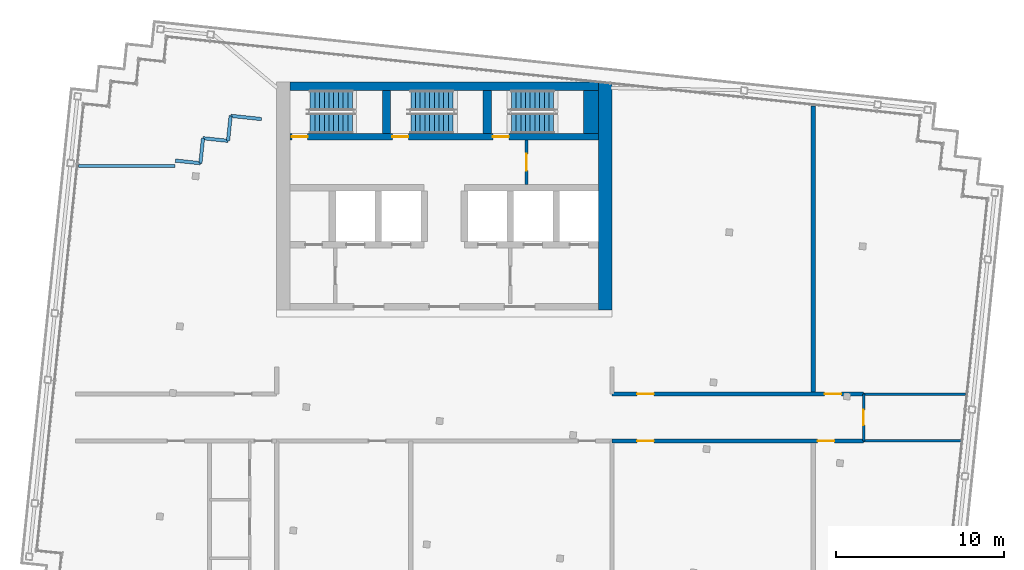
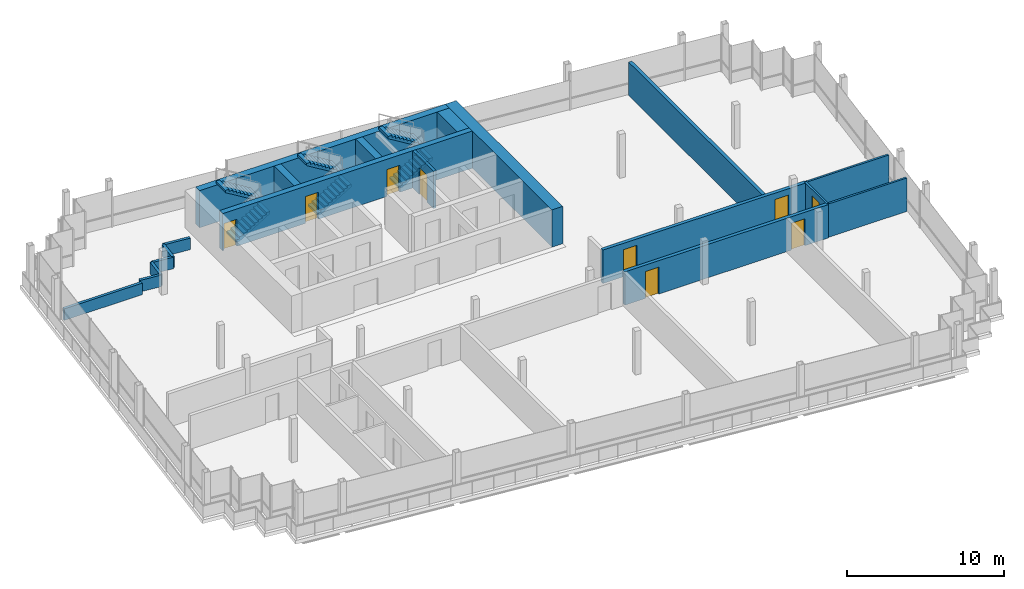
# One storey, part 12 of 15: 19 walls, 9 doors, 6 stair flights, 9 openings, 3 elements without a shape of their own.
"""IFC4 building model written with IfcOpenShell, lengths in metres."""

import ifcopenshell
import ifcopenshell.guid

model = None  # the IFC model being written
_history = None  # IfcOwnerHistory: only IFC2X3 demands one
_inside = {}  # id of a spatial element -> (the spatial element, [elements in it])
_under = {}  # id of a project, library or spatial element -> (it, [spatial elements below it])
_declared = {}  # id of a project -> (the project, [libraries it declares])
_typed = {}  # id of a type object -> (the type object, [elements of that type])
_made_of = {}  # id of a material, layer set ... -> (it, [elements and type objects made of it])


def new_model(schema):
    """Start an empty IFC model of exactly this schema.

    Asked for "IFC4X3", IfcOpenShell would pick the latest addendum, in which some entities
    have other attributes; the version numbers below select the first issue.
    IFC2X3 requires an IfcOwnerHistory on every rooted entity: one is made here for all.
    """
    global model, _history
    if schema == "IFC4X3":
        model = ifcopenshell.file(schema_version=(4, 3, 0, 0))
    else:
        model = ifcopenshell.file(schema=schema)
    _inside.clear()
    _under.clear()
    _declared.clear()
    _typed.clear()
    _made_of.clear()
    _history = None
    if model.schema == "IFC2X3":
        org = make("IfcOrganization", Name="unknown")
        user = make(
            "IfcPersonAndOrganization",
            ThePerson=make("IfcPerson", FamilyName="unknown"),
            TheOrganization=org,
        )
        app = make(
            "IfcApplication",
            ApplicationDeveloper=org,
            Version="unknown",
            ApplicationFullName="unknown",
            ApplicationIdentifier="unknown",
        )
        _history = make(
            "IfcOwnerHistory",
            OwningUser=user,
            OwningApplication=app,
            ChangeAction="ADDED",
            CreationDate=0,
        )
    return model


def make(cls, **values):
    """One entity of the class cls with the attributes given. An attribute that is None is left unset."""
    return model.create_entity(
        cls, **{name: value for name, value in values.items() if value is not None}
    )


def rooted(cls, **values):
    """An entity with a GlobalId (a new one), such as an element, a storey or a relation."""
    return make(cls, GlobalId=ifcopenshell.guid.new(), OwnerHistory=_history, **values)


def si_unit(unit_type, name, prefix=None):
    """IfcSIUnit, for example si_unit("LENGTHUNIT", "METRE", prefix="MILLI")."""
    return make("IfcSIUnit", UnitType=unit_type, Prefix=prefix, Name=name)


def assignment(units):
    """IfcUnitAssignment: the units of a project."""
    return None if units is None else make("IfcUnitAssignment", Units=units)


def point(xyz):
    """IfcCartesianPoint."""
    return None if xyz is None else make("IfcCartesianPoint", Coordinates=xyz)


def direction(xyz):
    """IfcDirection."""
    return None if xyz is None else make("IfcDirection", DirectionRatios=xyz)


def frame(location, z_axis=None, x_axis=None):
    """IfcAxis2Placement3D, a coordinate frame: its origin and axes. An axis left out is left unset."""
    return make(
        "IfcAxis2Placement3D",
        Location=point(location),
        Axis=direction(z_axis),
        RefDirection=direction(x_axis),
    )


def frame_2d(location, x_axis=None):
    """IfcAxis2Placement2D, a coordinate frame in the plane: its origin and x axis."""
    return make(
        "IfcAxis2Placement2D", Location=point(location), RefDirection=direction(x_axis)
    )


def origin():
    """The frame at (0, 0, 0) with its axes left unset."""
    return frame((0.0, 0.0, 0.0))


def place(relative_to, where):
    """IfcLocalPlacement: puts the frame where relative to a parent placement (None: the world)."""
    return make(
        "IfcLocalPlacement", PlacementRelTo=relative_to, RelativePlacement=where
    )


def context(
    kind, dimensions, precision=None, world=None, true_north=None, identifier=None
):
    """IfcGeometricRepresentationContext, for example the 3D "Model" context."""
    return make(
        "IfcGeometricRepresentationContext",
        ContextIdentifier=identifier,
        ContextType=kind,
        CoordinateSpaceDimension=dimensions,
        Precision=precision,
        WorldCoordinateSystem=world,
        TrueNorth=true_north,
    )


def subcontext(parent, identifier, kind, view, scale=None):
    """IfcGeometricRepresentationSubContext, for example "Body" below "Model"."""
    return make(
        "IfcGeometricRepresentationSubContext",
        ContextIdentifier=identifier,
        ContextType=kind,
        ParentContext=parent,
        TargetScale=scale,
        TargetView=view,
    )


def project(units=None, contexts=None):
    """IfcProject with its units and contexts."""
    return rooted(
        "IfcProject",
        Name="project",
        RepresentationContexts=contexts,
        UnitsInContext=assignment(units),
    )


def spatial(cls, under=None, at=None, **own):
    """A site, building, storey or space (cls), placed at a placement, below another one or the project."""
    s = rooted(cls, ObjectPlacement=at, **own)
    if under is not None:
        _under.setdefault(under.id(), (under, []))[1].append(s)
    return s


def polyline(points):
    """IfcPolyline through the points."""
    return make("IfcPolyline", Points=[point(p) for p in points])


def profile(cls, at=None, kind="AREA", **sizes):
    """A parametric profile (cls). Its sizes go by their IFC names, for example OverallWidth=200.0."""
    return make(cls, ProfileType=kind, Position=at, **sizes)


def rectangle(**sizes):
    """IfcRectangleProfileDef."""
    return profile("IfcRectangleProfileDef", **sizes)


def outline(outer, holes=None, kind="AREA"):
    """IfcArbitraryClosedProfileDef: a profile drawn as a closed curve; with holes, ...WithVoids."""
    if holes is None:
        return make("IfcArbitraryClosedProfileDef", ProfileType=kind, OuterCurve=outer)
    return make(
        "IfcArbitraryProfileDefWithVoids",
        ProfileType=kind,
        OuterCurve=outer,
        InnerCurves=holes,
    )


def extrude(swept, where, along, depth):
    """IfcExtrudedAreaSolid: the profile swept, set in the frame where, extruded along a direction by depth."""
    return make(
        "IfcExtrudedAreaSolid",
        SweptArea=swept,
        Position=where,
        ExtrudedDirection=direction(along),
        Depth=depth,
    )


def shape(context_of_items, identifier, shape_type, items):
    """IfcShapeRepresentation: the items that make up one representation, for example the "Body"."""
    return make(
        "IfcShapeRepresentation",
        ContextOfItems=context_of_items,
        RepresentationIdentifier=identifier,
        RepresentationType=shape_type,
        Items=items,
    )


def material(Name=None, Category=None):
    """IfcMaterial."""
    return make("IfcMaterial", Name=Name, Category=Category)


def layer(
    of_material, thickness, ventilated=None, Name=None, Category=None, Priority=None
):
    """IfcMaterialLayer: one layer of a wall or slab, of a material (None: an air gap)."""
    return make(
        "IfcMaterialLayer",
        Material=of_material,
        LayerThickness=thickness,
        IsVentilated=ventilated,
        Name=Name,
        Category=Category,
        Priority=Priority,
    )


def layer_set(layers, Name=None):
    """IfcMaterialLayerSet."""
    return make("IfcMaterialLayerSet", MaterialLayers=layers, LayerSetName=Name)


def made_of(thing, what):
    """Note that an element or type object is made of a material, layer set ...; save() writes the relation."""
    if what is not None:
        _made_of.setdefault(what.id(), (what, []))[1].append(thing)
    return thing


def type_object(cls, material=None, **own):
    """A type object (cls), such as IfcWallType, which elements share."""
    return made_of(rooted(cls, **own), material)


def element(
    cls,
    number,
    at=None,
    inside=None,
    cuts=None,
    type_object=None,
    material=None,
    context=None,
    identifier="Body",
    shape_type=None,
    held_by="IfcProductDefinitionShape",
    body=None,
    shapes=None,
    **own,
):
    """One element of the class cls, such as IfcWall. Its Tag is "e" and its number.

    at: its placement. inside: the storey or other place that contains it. cuts: it is an
    opening in that element (IfcRelVoidsElement). A single representation is given by context,
    identifier, shape_type and body (its items); several are given by shapes. held_by: the class
    of the entity that holds the representations. save() writes the other relations.
    """
    e = rooted(cls, Tag="e%d" % number, ObjectPlacement=at, **own)
    if body is not None:
        shapes = [shape(context, identifier, shape_type, body)]
    if shapes is not None:
        e.Representation = make(held_by, Representations=shapes)
    if inside is not None:
        _inside.setdefault(inside.id(), (inside, []))[1].append(e)
    if cuts is not None:
        rooted(
            "IfcRelVoidsElement", RelatingBuildingElement=cuts, RelatedOpeningElement=e
        )
    if type_object is not None:
        _typed.setdefault(type_object.id(), (type_object, []))[1].append(e)
    return made_of(e, material)


def fill(opening, filler):
    """IfcRelFillsElement: the door or window that sits in an opening."""
    return rooted(
        "IfcRelFillsElement",
        RelatingOpeningElement=opening,
        RelatedBuildingElement=filler,
    )


def aggregate(whole, parts):
    """IfcRelAggregates: a whole, such as a stair, and the parts it consists of."""
    return rooted("IfcRelAggregates", RelatingObject=whole, RelatedObjects=parts)


def save(model, path):
    """Write the relations noted so far, then the file.

    IfcRelAggregates (storeys below a building ...), IfcRelContainedInSpatialStructure (elements
    in a storey), IfcRelDefinesByType, IfcRelAssociatesMaterial and IfcRelDeclares: one each for
    every whole, place, type object, material and project.
    """
    for whole, parts in _under.values():
        aggregate(whole, parts)
    for where, things in _inside.values():
        rooted(
            "IfcRelContainedInSpatialStructure",
            RelatedElements=things,
            RelatingStructure=where,
        )
    for kind, things in _typed.values():
        rooted("IfcRelDefinesByType", RelatedObjects=things, RelatingType=kind)
    for what, things in _made_of.values():
        rooted("IfcRelAssociatesMaterial", RelatedObjects=things, RelatingMaterial=what)
    for by, libraries in _declared.values():
        rooted("IfcRelDeclares", RelatingContext=by, RelatedDefinitions=libraries)
    model.write(path)


model = new_model("IFC4")

# Units and contexts
model_context = context("Model", 3, precision=1e-05, world=origin(), true_north=direction((0.0, 1.0)))
body_context = subcontext(model_context, "Body", "Model", "MODEL_VIEW")
ifc_project = project(units=[si_unit("LENGTHUNIT", "METRE"), si_unit("AREAUNIT", "SQUARE_METRE"), si_unit("VOLUMEUNIT", "CUBIC_METRE"), si_unit("PLANEANGLEUNIT", "RADIAN"), si_unit("MASSUNIT", "GRAM", prefix="KILO")], contexts=[model_context])

# Site, building, storey
site_placement = place(None, origin())
site = spatial("IfcSite", under=ifc_project, at=site_placement, CompositionType="ELEMENT")
building_placement = place(site_placement, origin())
building = spatial("IfcBuilding", under=site, at=building_placement, Name="Vidyagriha Tower", CompositionType="ELEMENT")
storey_placement = place(building_placement, frame((0.0, 0.0, 298.300048828125)))
storey = spatial("IfcBuildingStorey", under=building, at=storey_placement, Name="L77", CompositionType="ELEMENT", Elevation=298.300048828125)

# Walls
ifc_material_1 = material(Name="Fired clay brick masonry", Category="masonry")
ifc_layer_1 = layer(ifc_material_1, 0.199951171875)
ifc_layer_set_1 = layer_set([ifc_layer_1], Name="Fired clay brick masonry")
wall_type_1 = type_object("IfcWallType", Name="Brick planter wall 200", PredefinedType="PARTITIONING", material=ifc_layer_set_1)
wall_1_placement = place(storey_placement, frame((-12.743408203125, 17.991455078125, 0.0), z_axis=(0.0, 0.0, 1.0), x_axis=(0.994516993757, -0.104575088471, 0.0)))
element("IfcWall", 1, at=wall_1_placement, inside=storey, type_object=wall_type_1, Name="Wall all-L77-w033", PredefinedType="PARTITIONING", context=body_context, shape_type="SweptSolid", body=[
    extrude(rectangle(XDim=1.853759765625, YDim=0.199951171875, at=frame_2d((0.9267578125, 0.0))), origin(), (0.0, 0.0, 1.0), 0.89990234375),
])
wall_2_placement = place(storey_placement, frame((-12.900146484375, 16.49951171875, 0.0), z_axis=(0.0, 0.0, 1.0), x_axis=(0.104481464157, 0.994526834051, 0.0)))
element("IfcWall", 2, at=wall_2_placement, inside=storey, type_object=wall_type_1, Name="Wall all-L77-w034", PredefinedType="PARTITIONING", context=body_context, shape_type="SweptSolid", body=[
    extrude(rectangle(XDim=1.500244140625, YDim=0.199951171875, at=frame_2d((0.75, 0.0))), origin(), (0.0, 0.0, 1.0), 0.89990234375),
])
wall_3_placement = place(storey_placement, frame((-14.391845703125, 16.656494140625, 0.0), z_axis=(0.0, 0.0, 1.0), x_axis=(0.994508128223, -0.104659366031, 0.0)))
element("IfcWall", 3, at=wall_3_placement, inside=storey, type_object=wall_type_1, Name="Wall all-L77-w035", PredefinedType="PARTITIONING", context=body_context, shape_type="SweptSolid", body=[
    extrude(rectangle(XDim=1.5, YDim=0.199951171875, at=frame_2d((0.75, 0.0))), origin(), (0.0, 0.0, 1.0), 0.89990234375),
])
wall_4_placement = place(storey_placement, frame((-14.548583984375, 15.16455078125, 0.0), z_axis=(0.0, 0.0, 1.0), x_axis=(0.104481464157, 0.994526834051, 0.0)))
element("IfcWall", 4, at=wall_4_placement, inside=storey, type_object=wall_type_1, Name="Wall all-L77-w036", PredefinedType="PARTITIONING", context=body_context, shape_type="SweptSolid", body=[
    extrude(rectangle(XDim=1.500244140625, YDim=0.199951171875, at=frame_2d((0.75, 0.0))), origin(), (0.0, 0.0, 1.0), 0.89990234375),
])
wall_5_placement = place(storey_placement, frame((-16.040283203125, 15.3212890625, 0.0), z_axis=(0.0, 0.0, 1.0), x_axis=(0.994525057048, -0.104498377516, 0.0)))
element("IfcWall", 5, at=wall_5_placement, inside=storey, type_object=wall_type_1, Name="Wall all-L77-w037", PredefinedType="PARTITIONING", context=body_context, shape_type="SweptSolid", body=[
    extrude(rectangle(XDim=1.5, YDim=0.199951171875, at=frame_2d((0.75, 0.0))), origin(), (0.0, 0.0, 1.0), 0.89990234375),
])
wall_6_placement = place(storey_placement, frame((-21.81591796875, 15.0, 0.0)))
element("IfcWall", 6, at=wall_6_placement, inside=storey, type_object=wall_type_1, Name="Wall all-L77-w038", PredefinedType="PARTITIONING", context=body_context, shape_type="SweptSolid", body=[
    extrude(rectangle(XDim=5.74169921875, YDim=0.199951171875, at=frame_2d((2.870849609375, 0.0))), origin(), (0.0, 0.0, 1.0), 0.89990234375),
])

# Wall, openings, doors
ifc_material_2 = material(Name="Concrete C60/75", Category="concrete")
ifc_layer_2 = layer(ifc_material_2, 0.39990234375)
ifc_layer_set_2 = layer_set([ifc_layer_2], Name="Concrete C60/75")
wall_type_2 = type_object("IfcWallType", Name="Core shear wall 400 mm", PredefinedType="SHEAR", material=ifc_layer_set_2)
wall_7_placement = place(storey_placement, frame((-9.199951171875, 16.75, 0.0)))
wall_7 = element("IfcWall", 7, at=wall_7_placement, inside=storey, type_object=wall_type_2, Name="Stair front wall", PredefinedType="SHEAR", context=body_context, shape_type="SweptSolid", body=[
    extrude(rectangle(XDim=18.39990234375, YDim=0.39990234375, at=frame_2d((9.199951171875, 0.0))), origin(), (0.0, 0.0, 1.0), 2.89990234375),
])
opening_1_placement = place(wall_7_placement, frame((0.10009765625, 0.0, 0.0)))
opening_1 = element("IfcOpeningElement", 8, at=opening_1_placement, cuts=wall_7, Name="Opening D77-06", PredefinedType="OPENING", context=body_context, shape_type="SweptSolid", body=[
    extrude(rectangle(XDim=0.949951171875, YDim=2.10009765625, at=frame_2d((0.47509765625, 1.050048828125))), frame((0.0, 0.2099609375, 0.0), z_axis=(0.0, -1.0, 0.0), x_axis=(1.0, 0.0, 0.0)), (0.0, 0.0, 1.0), 0.419921875),
])
opening_2_placement = place(wall_7_placement, frame((6.10009765625, 0.0, 0.0)))
opening_2 = element("IfcOpeningElement", 9, at=opening_2_placement, cuts=wall_7, Name="Opening D77-07", PredefinedType="OPENING", context=body_context, shape_type="SweptSolid", body=[
    extrude(rectangle(XDim=0.949951171875, YDim=2.10009765625, at=frame_2d((0.47509765625, 1.050048828125))), frame((0.0, 0.2099609375, 0.0), z_axis=(0.0, -1.0, 0.0), x_axis=(1.0, 0.0, 0.0)), (0.0, 0.0, 1.0), 0.419921875),
])
opening_3_placement = place(wall_7_placement, frame((12.10009765625, 0.0, 0.0)))
opening_3 = element("IfcOpeningElement", 10, at=opening_3_placement, cuts=wall_7, Name="Opening D77-08", PredefinedType="OPENING", context=body_context, shape_type="SweptSolid", body=[
    extrude(rectangle(XDim=0.949951171875, YDim=2.10009765625, at=frame_2d((0.47509765625, 1.050048828125))), frame((0.0, 0.2099609375, 0.0), z_axis=(0.0, -1.0, 0.0), x_axis=(1.0, 0.0, 0.0)), (0.0, 0.0, 1.0), 0.419921875),
])
ifc_material_3 = material(Name="Hollow metal door leaf")
door_type_1 = type_object("IfcDoorType", Name="Exit stair door 950 x 2100 mm EI 90", OperationType="NOTDEFINED", PredefinedType="DOOR", material=ifc_material_3)
door_1_placement = place(opening_1_placement, origin())
door_1 = element("IfcDoor", 11, at=door_1_placement, inside=storey, type_object=door_type_1, Name="Stair door ST1 L77", OperationType="SINGLE_SWING_LEFT", OverallHeight=2.10009765625, OverallWidth=0.949951171875, PredefinedType="DOOR", context=body_context, shape_type="SweptSolid", body=[
    extrude(rectangle(XDim=0.949951171875, YDim=2.10009765625, at=frame_2d((0.47509765625, 1.050048828125))), frame((0.0, 0.02490234375, 0.0), z_axis=(0.0, -1.0, 0.0), x_axis=(1.0, 0.0, 0.0)), (0.0, 0.0, 1.0), 0.050048828125),
])
fill(opening_1, door_1)
door_2_placement = place(opening_2_placement, origin())
door_2 = element("IfcDoor", 12, at=door_2_placement, inside=storey, type_object=door_type_1, Name="Stair door ST2 L77", OperationType="SINGLE_SWING_LEFT", OverallHeight=2.10009765625, OverallWidth=0.949951171875, PredefinedType="DOOR", context=body_context, shape_type="SweptSolid", body=[
    extrude(rectangle(XDim=0.949951171875, YDim=2.10009765625, at=frame_2d((0.47509765625, 1.050048828125))), frame((0.0, 0.02490234375, 0.0), z_axis=(0.0, -1.0, 0.0), x_axis=(1.0, 0.0, 0.0)), (0.0, 0.0, 1.0), 0.050048828125),
])
fill(opening_2, door_2)
door_3_placement = place(opening_3_placement, origin())
door_3 = element("IfcDoor", 13, at=door_3_placement, inside=storey, type_object=door_type_1, Name="Stair door ST3 L77", OperationType="SINGLE_SWING_LEFT", OverallHeight=2.10009765625, OverallWidth=0.949951171875, PredefinedType="DOOR", context=body_context, shape_type="SweptSolid", body=[
    extrude(rectangle(XDim=0.949951171875, YDim=2.10009765625, at=frame_2d((0.47509765625, 1.050048828125))), frame((0.0, 0.02490234375, 0.0), z_axis=(0.0, -1.0, 0.0), x_axis=(1.0, 0.0, 0.0)), (0.0, 0.0, 1.0), 0.050048828125),
])
fill(opening_3, door_3)

# Walls
ifc_material_4 = material(Name="Concrete C60/75", Category="concrete")
ifc_layer_3 = layer(ifc_material_4, 0.5)
ifc_layer_set_3 = layer_set([ifc_layer_3], Name="Concrete C60/75")
wall_type_3 = type_object("IfcWallType", Name="Core shear wall 500 mm", PredefinedType="SHEAR", material=ifc_layer_set_3)
wall_8_placement = place(storey_placement, frame((-9.199951171875, 19.75, 0.0)))
element("IfcWall", 14, at=wall_8_placement, inside=storey, type_object=wall_type_3, Name="Core north wall", PredefinedType="SHEAR", context=body_context, shape_type="SweptSolid", body=[
    extrude(rectangle(XDim=18.39990234375, YDim=0.5, at=frame_2d((9.199951171875, 0.0))), origin(), (0.0, 0.0, 1.0), 2.89990234375),
])
for number, where, z_axis, x_axis, name in (
    (15, (-3.449951171875, 16.949951171875, 0.0), (0.0, 0.0, 1.0), (0.0, 1.0, 0.0), "Stair partition wall 1"),
    (16, (2.550048828125, 16.949951171875, 0.0), (0.0, 0.0, 1.0), (0.0, 1.0, 0.0), "Stair partition wall 2"),
):
    element("IfcWall", number, at=place(storey_placement, frame(where, z_axis=z_axis, x_axis=x_axis)), inside=storey, type_object=wall_type_3, Name=name, PredefinedType="SHEAR", context=body_context, shape_type="SweptSolid", body=[
        extrude(rectangle(XDim=2.550048828125, YDim=0.5, at=frame_2d((1.27490234375, 0.0))), origin(), (0.0, 0.0, 1.0), 2.89990234375),
    ])
ifc_material_5 = material(Name="Concrete C60/75", Category="concrete")
ifc_layer_4 = layer(ifc_material_5, 0.800048828125)
ifc_layer_set_4 = layer_set([ifc_layer_4], Name="Concrete C60/75")
wall_type_4 = type_object("IfcWallType", Name="Core shear wall 800 mm", PredefinedType="SHEAR", material=ifc_layer_set_4)
wall_9_placement = place(storey_placement, frame((9.60009765625, 6.39990234375, 0.0), z_axis=(0.0, 0.0, 1.0), x_axis=(0.0, 1.0, 0.0)))
element("IfcWall", 17, at=wall_9_placement, inside=storey, type_object=wall_type_4, Name="Core east wall", PredefinedType="SHEAR", context=body_context, shape_type="SweptSolid", body=[
    extrude(rectangle(XDim=13.60009765625, YDim=0.800048828125, at=frame_2d((6.800048828125, 0.0))), origin(), (0.0, 0.0, 1.0), 2.89990234375),
])
ifc_material_6 = material(Name="Concrete C60/75", Category="concrete")
ifc_layer_5 = layer(ifc_material_6, 0.89990234375)
ifc_layer_set_5 = layer_set([ifc_layer_5], Name="Concrete C60/75")
wall_type_5 = type_object("IfcWallType", Name="Core shear wall 900 mm", PredefinedType="SHEAR", material=ifc_layer_set_5)
wall_10_placement = place(storey_placement, frame((8.75, 16.949951171875, 0.0), z_axis=(0.0, 0.0, 1.0), x_axis=(0.0, 1.0, 0.0)))
element("IfcWall", 18, at=wall_10_placement, inside=storey, type_object=wall_type_5, Name="Stair end wall", PredefinedType="SHEAR", context=body_context, shape_type="SweptSolid", body=[
    extrude(rectangle(XDim=2.550048828125, YDim=0.89990234375, at=frame_2d((1.27490234375, 0.0))), origin(), (0.0, 0.0, 1.0), 2.89990234375),
])

# Wall, openings, doors
ifc_material_7 = material(Name="Fired clay brick masonry", Category="masonry")
ifc_layer_6 = layer(ifc_material_7, 0.25)
ifc_layer_set_6 = layer_set([ifc_layer_6], Name="Fired clay brick masonry")
wall_type_6 = type_object("IfcWallType", Name="Fired clay brick corridor wall 250", PredefinedType="PARTITIONING", material=ifc_layer_set_6)
wall_11_placement = place(storey_placement, frame((25.0, -1.39990234375, 0.0), z_axis=(0.0, 0.0, 1.0), x_axis=(-1.0, 0.0, 0.0)))
wall_11 = element("IfcWall", 19, at=wall_11_placement, inside=storey, type_object=wall_type_6, Name="Wall all-L77-w014", PredefinedType="PARTITIONING", context=body_context, shape_type="SweptSolid", body=[
    extrude(rectangle(XDim=15.0, YDim=0.25, at=frame_2d((7.5, 0.0))), origin(), (0.0, 0.0, 1.0), 2.599853515625),
])
opening_4_placement = place(wall_11_placement, frame((12.5, 0.0, 0.0)))
opening_4 = element("IfcOpeningElement", 20, at=opening_4_placement, cuts=wall_11, Name="Opening D77-17", PredefinedType="OPENING", context=body_context, shape_type="SweptSolid", body=[
    extrude(rectangle(XDim=1.0, YDim=2.10009765625, at=frame_2d((0.5, 1.050048828125))), frame((0.0, 0.135009765625, 0.0), z_axis=(0.0, -1.0, 0.0), x_axis=(1.0, 0.0, 0.0)), (0.0, 0.0, 1.0), 0.27001953125),
])
opening_5_placement = place(wall_11_placement, frame((1.7431640625, 0.0, 0.0)))
opening_5 = element("IfcOpeningElement", 21, at=opening_5_placement, cuts=wall_11, Name="Opening D77-18", PredefinedType="OPENING", context=body_context, shape_type="SweptSolid", body=[
    extrude(rectangle(XDim=1.0, YDim=2.10009765625, at=frame_2d((0.5, 1.050048828125))), frame((0.0, 0.135009765625, 0.0), z_axis=(0.0, -1.0, 0.0), x_axis=(1.0, 0.0, 0.0)), (0.0, 0.0, 1.0), 0.27001953125),
])
ifc_material_8 = material(Name="Fire-rated timber door leaf EI 60", Category="wood")
door_type_2 = type_object("IfcDoorType", Name="Flat entrance fire door 1000x2100", OperationType="NOTDEFINED", PredefinedType="DOOR", material=ifc_material_8)
door_4_placement = place(opening_4_placement, origin())
door_4 = element("IfcDoor", 22, at=door_4_placement, inside=storey, type_object=door_type_2, Name="Door D77-17", OperationType="SINGLE_SWING_RIGHT", OverallHeight=2.10009765625, OverallWidth=1.0, PredefinedType="DOOR", context=body_context, shape_type="SweptSolid", body=[
    extrude(rectangle(XDim=1.0, YDim=2.10009765625, at=frame_2d((0.5, 1.050048828125))), frame((0.0, 0.02490234375, 0.0), z_axis=(0.0, -1.0, 0.0), x_axis=(1.0, 0.0, 0.0)), (0.0, 0.0, 1.0), 0.050048828125),
])
fill(opening_4, door_4)
door_5_placement = place(opening_5_placement, origin())
door_5 = element("IfcDoor", 23, at=door_5_placement, inside=storey, type_object=door_type_2, Name="Door D77-18", OperationType="SINGLE_SWING_RIGHT", OverallHeight=2.10009765625, OverallWidth=1.0, PredefinedType="DOOR", context=body_context, shape_type="SweptSolid", body=[
    extrude(rectangle(XDim=1.0, YDim=2.10009765625, at=frame_2d((0.5, 1.050048828125))), frame((0.0, 0.02490234375, 0.0), z_axis=(0.0, -1.0, 0.0), x_axis=(1.0, 0.0, 0.0)), (0.0, 0.0, 1.0), 0.050048828125),
])
fill(opening_5, door_5)

wall_12_placement = place(storey_placement, frame((10.0, 1.39990234375, 0.0)))
wall_12 = element("IfcWall", 24, at=wall_12_placement, inside=storey, type_object=wall_type_6, Name="Wall all-L77-w022", PredefinedType="PARTITIONING", context=body_context, shape_type="SweptSolid", body=[
    extrude(rectangle(XDim=15.0, YDim=0.25, at=frame_2d((7.5, 0.0))), origin(), (0.0, 0.0, 1.0), 2.599853515625),
])
opening_6_placement = place(wall_12_placement, frame((1.5, 0.0, 0.0)))
opening_6 = element("IfcOpeningElement", 25, at=opening_6_placement, cuts=wall_12, Name="Opening D77-20", PredefinedType="OPENING", context=body_context, shape_type="SweptSolid", body=[
    extrude(rectangle(XDim=1.0, YDim=2.10009765625, at=frame_2d((0.5, 1.050048828125))), frame((0.0, 0.135009765625, 0.0), z_axis=(0.0, -1.0, 0.0), x_axis=(1.0, 0.0, 0.0)), (0.0, 0.0, 1.0), 0.27001953125),
])
opening_7_placement = place(wall_12_placement, frame((12.6748046875, 0.0, 0.0)))
opening_7 = element("IfcOpeningElement", 26, at=opening_7_placement, cuts=wall_12, Name="Opening D77-21", PredefinedType="OPENING", context=body_context, shape_type="SweptSolid", body=[
    extrude(rectangle(XDim=1.0, YDim=2.10009765625, at=frame_2d((0.5, 1.050048828125))), frame((0.0, 0.135009765625, 0.0), z_axis=(0.0, -1.0, 0.0), x_axis=(1.0, 0.0, 0.0)), (0.0, 0.0, 1.0), 0.27001953125),
])
door_6_placement = place(opening_6_placement, origin())
door_6 = element("IfcDoor", 27, at=door_6_placement, inside=storey, type_object=door_type_2, Name="Door D77-20", OperationType="SINGLE_SWING_LEFT", OverallHeight=2.10009765625, OverallWidth=1.0, PredefinedType="DOOR", context=body_context, shape_type="SweptSolid", body=[
    extrude(rectangle(XDim=1.0, YDim=2.10009765625, at=frame_2d((0.5, 1.050048828125))), frame((0.0, 0.02490234375, 0.0), z_axis=(0.0, -1.0, 0.0), x_axis=(1.0, 0.0, 0.0)), (0.0, 0.0, 1.0), 0.050048828125),
])
fill(opening_6, door_6)
door_7_placement = place(opening_7_placement, origin())
door_7 = element("IfcDoor", 28, at=door_7_placement, inside=storey, type_object=door_type_2, Name="Door D77-21", OperationType="SINGLE_SWING_LEFT", OverallHeight=2.10009765625, OverallWidth=1.0, PredefinedType="DOOR", context=body_context, shape_type="SweptSolid", body=[
    extrude(rectangle(XDim=1.0, YDim=2.10009765625, at=frame_2d((0.5, 1.050048828125))), frame((0.0, 0.02490234375, 0.0), z_axis=(0.0, -1.0, 0.0), x_axis=(1.0, 0.0, 0.0)), (0.0, 0.0, 1.0), 0.050048828125),
])
fill(opening_7, door_7)

# Walls
ifc_material_9 = material(Name="Fired clay brick masonry", Category="masonry")
ifc_layer_7 = layer(ifc_material_9, 0.25)
ifc_layer_set_7 = layer_set([ifc_layer_7], Name="Fired clay brick masonry")
wall_type_7 = type_object("IfcWallType", Name="Fired clay brick demising wall 250", PredefinedType="PARTITIONING", material=ifc_layer_set_7)
wall_13_placement = place(storey_placement, frame((22.0, 18.583984375, 0.0), z_axis=(0.0, 0.0, 1.0), x_axis=(0.0, -1.0, 0.0)))
element("IfcWall", 29, at=wall_13_placement, inside=storey, type_object=wall_type_7, Name="Wall all-L77-w026", PredefinedType="PARTITIONING", context=body_context, shape_type="SweptSolid", body=[
    extrude(rectangle(XDim=17.18408203125, YDim=0.25, at=frame_2d((8.592041015625, 0.0))), origin(), (0.0, 0.0, 1.0), 2.599853515625),
])
ifc_material_10 = material(Name="Gypsum board partition")
ifc_layer_8 = layer(ifc_material_10, 0.14990234375)
ifc_layer_set_8 = layer_set([ifc_layer_8], Name="Gypsum board partition")
wall_type_8 = type_object("IfcWallType", Name="Gypsum board partition 150", PredefinedType="PARTITIONING", material=ifc_layer_set_8)
wall_14_placement = place(storey_placement, frame((30.79833984375, -1.39990234375, 0.0), z_axis=(0.0, 0.0, 1.0), x_axis=(-1.0, 0.0, 0.0)))
element("IfcWall", 30, at=wall_14_placement, inside=storey, type_object=wall_type_8, Name="Wall all-L77-w015", PredefinedType="PARTITIONING", context=body_context, shape_type="SweptSolid", body=[
    extrude(rectangle(XDim=5.79833984375, YDim=0.14990234375, at=frame_2d((2.899169921875, 0.0))), origin(), (0.0, 0.0, 1.0), 2.599853515625),
])

# Wall, opening, door
wall_15_placement = place(storey_placement, frame((25.0, -1.39990234375, 0.0), z_axis=(0.0, 0.0, 1.0), x_axis=(0.0, 1.0, 0.0)))
wall_15 = element("IfcWall", 31, at=wall_15_placement, inside=storey, type_object=wall_type_8, Name="Wall all-L77-w016", PredefinedType="PARTITIONING", context=body_context, shape_type="SweptSolid", body=[
    extrude(rectangle(XDim=2.7998046875, YDim=0.14990234375, at=frame_2d((1.39990234375, 0.0))), origin(), (0.0, 0.0, 1.0), 2.599853515625),
])
opening_8_placement = place(wall_15_placement, frame((0.949951171875, 0.0, 0.0)))
opening_8 = element("IfcOpeningElement", 32, at=opening_8_placement, cuts=wall_15, Name="Opening D77-19", PredefinedType="OPENING", context=body_context, shape_type="SweptSolid", body=[
    extrude(rectangle(XDim=0.89990234375, YDim=2.10009765625, at=frame_2d((0.449951171875, 1.050048828125))), frame((0.0, 0.0849609375, 0.0), z_axis=(0.0, -1.0, 0.0), x_axis=(1.0, 0.0, 0.0)), (0.0, 0.0, 1.0), 0.169921875),
])
ifc_material_11 = material(Name="Timber door leaf", Category="wood")
door_type_3 = type_object("IfcDoorType", Name="Room door 900x2100", OperationType="NOTDEFINED", PredefinedType="DOOR", material=ifc_material_11)
door_8_placement = place(opening_8_placement, origin())
door_8 = element("IfcDoor", 33, at=door_8_placement, inside=storey, type_object=door_type_3, Name="Door D77-19", OperationType="SINGLE_SWING_RIGHT", OverallHeight=2.10009765625, OverallWidth=0.89990234375, PredefinedType="DOOR", context=body_context, shape_type="SweptSolid", body=[
    extrude(rectangle(XDim=0.89990234375, YDim=2.10009765625, at=frame_2d((0.449951171875, 1.050048828125))), frame((0.0, 0.02490234375, 0.0), z_axis=(0.0, -1.0, 0.0), x_axis=(1.0, 0.0, 0.0)), (0.0, 0.0, 1.0), 0.050048828125),
])
fill(opening_8, door_8)

# Wall
wall_16_placement = place(storey_placement, frame((25.0, 1.39990234375, 0.0)))
element("IfcWall", 34, at=wall_16_placement, inside=storey, type_object=wall_type_8, Name="Wall all-L77-w023", PredefinedType="PARTITIONING", context=body_context, shape_type="SweptSolid", body=[
    extrude(rectangle(XDim=6.092529296875, YDim=0.14990234375, at=frame_2d((3.04638671875, 0.0))), origin(), (0.0, 0.0, 1.0), 2.599853515625),
])

# Wall, opening, door
ifc_material_12 = material(Name="Blockwork 15 MPa", Category="masonry")
ifc_layer_9 = layer(ifc_material_12, 0.199951171875)
ifc_layer_set_9 = layer_set([ifc_layer_9], Name="Blockwork 15 MPa")
wall_type_9 = type_object("IfcWallType", Name="Service room partition 200 mm", PredefinedType="PARTITIONING", material=ifc_layer_set_9)
wall_17_placement = place(storey_placement, frame((4.89990234375, 13.89990234375, 0.0), z_axis=(0.0, 0.0, 1.0), x_axis=(0.0, 1.0, 0.0)))
wall_17 = element("IfcWall", 35, at=wall_17_placement, inside=storey, type_object=wall_type_9, Name="Core room partition E", PredefinedType="PARTITIONING", context=body_context, shape_type="SweptSolid", body=[
    extrude(rectangle(XDim=2.650146484375, YDim=0.199951171875, at=frame_2d((1.3251953125, 0.0))), origin(), (0.0, 0.0, 1.0), 2.89990234375),
])
opening_9_placement = place(wall_17_placement, frame((0.824951171875, 0.0, 0.0)))
opening_9 = element("IfcOpeningElement", 36, at=opening_9_placement, cuts=wall_17, Name="Opening D77-10", PredefinedType="OPENING", context=body_context, shape_type="SweptSolid", body=[
    extrude(rectangle(XDim=1.0, YDim=2.10009765625, at=frame_2d((0.5, 1.050048828125))), frame((0.0, 0.10986328125, 0.0), z_axis=(0.0, -1.0, 0.0), x_axis=(1.0, 0.0, 0.0)), (0.0, 0.0, 1.0), 0.219970703125),
])
ifc_material_13 = material(Name="Hollow metal door leaf")
door_type_4 = type_object("IfcDoorType", Name="Core room door 1000 x 2100 mm EI 60", OperationType="NOTDEFINED", PredefinedType="DOOR", material=ifc_material_13)
door_9_placement = place(opening_9_placement, origin())
door_9 = element("IfcDoor", 37, at=door_9_placement, inside=storey, type_object=door_type_4, Name="Door Storage Room 77.T2", OperationType="SINGLE_SWING_LEFT", OverallHeight=2.10009765625, OverallWidth=1.0, PredefinedType="DOOR", context=body_context, shape_type="SweptSolid", body=[
    extrude(rectangle(XDim=1.0, YDim=2.10009765625, at=frame_2d((0.5, 1.050048828125))), frame((0.0, 0.02490234375, 0.0), z_axis=(0.0, -1.0, 0.0), x_axis=(1.0, 0.0, 0.0)), (0.0, 0.0, 1.0), 0.050048828125),
])
fill(opening_9, door_9)

# Stair, stair flights
ifc_material_14 = material(Name="Concrete C40/50", Category="concrete")
stair_type = type_object("IfcStairType", Name="Exit stair, half-turn, precast flights", PredefinedType="HALF_TURN_STAIR", material=ifc_material_14)
stair_1_placement = place(storey_placement, origin())
stair_1 = element("IfcStair", 38, at=stair_1_placement, inside=storey, type_object=stair_type, Name="L77 Exit Stair ST1", PredefinedType="HALF_TURN_STAIR")
ifc_material_15 = material(Name="Precast concrete C40/50", Category="concrete")
stair_flight_type = type_object("IfcStairFlightType", Name="Exit stair flight 1200 mm, precast", PredefinedType="STRAIGHT", material=ifc_material_15)
stair_flight_1_placement = place(storey_placement, frame((-8.0, 17.550048828125, 0.0)))
stair_flight_1 = element("IfcStairFlight", 39, at=stair_flight_1_placement, type_object=stair_flight_type, Name="ST1 flight 1", NumberOfRisers=10, NumberOfTreads=9, PredefinedType="STRAIGHT", RiserHeight=0.17, TreadLength=0.28, context=body_context, shape_type="SweptSolid", body=[
    extrude(outline(polyline([(0.0, 0.0), (0.0, 0.169921875), (0.280029296875, 0.169921875), (0.280029296875, 0.340087890625), (0.56005859375, 0.340087890625), (0.56005859375, 0.510009765625), (0.840087890625, 0.510009765625), (0.840087890625, 0.679931640625), (1.1201171875, 0.679931640625), (1.1201171875, 0.85009765625), (1.39990234375, 0.85009765625), (1.39990234375, 1.02001953125), (1.679931640625, 1.02001953125), (1.679931640625, 1.18994140625), (1.9599609375, 1.18994140625), (1.9599609375, 1.360107421875), (2.239990234375, 1.360107421875), (2.239990234375, 1.530029296875), (2.52001953125, 1.530029296875), (2.52001953125, 1.699951171875), (2.52001953125, 1.354736328125), (0.288818359375, 0.0), (0.0, 0.0)])), frame((0.0, 0.60009765625, 0.0), z_axis=(0.0, -1.0, 0.0), x_axis=(1.0, 0.0, 0.0)), (0.0, 0.0, 1.0), 1.199951171875),
])
stair_flight_2_placement = place(storey_placement, frame((-5.47998046875, 18.89990234375, 1.699951171875), z_axis=(0.0, 0.0, 1.0), x_axis=(-1.0, 0.0, 0.0)))
stair_flight_2 = element("IfcStairFlight", 40, at=stair_flight_2_placement, type_object=stair_flight_type, Name="ST1 flight 2", NumberOfRisers=10, NumberOfTreads=9, PredefinedType="STRAIGHT", RiserHeight=0.17, TreadLength=0.28, context=body_context, shape_type="SweptSolid", body=[
    extrude(outline(polyline([(0.0, 0.0), (0.0, 0.169921875), (0.280029296875, 0.169921875), (0.280029296875, 0.340087890625), (0.56005859375, 0.340087890625), (0.56005859375, 0.510009765625), (0.840087890625, 0.510009765625), (0.840087890625, 0.679931640625), (1.1201171875, 0.679931640625), (1.1201171875, 0.85009765625), (1.39990234375, 0.85009765625), (1.39990234375, 1.02001953125), (1.679931640625, 1.02001953125), (1.679931640625, 1.18994140625), (1.9599609375, 1.18994140625), (1.9599609375, 1.360107421875), (2.239990234375, 1.360107421875), (2.239990234375, 1.530029296875), (2.52001953125, 1.530029296875), (2.52001953125, 1.699951171875), (2.52001953125, 1.354736328125), (0.288818359375, 0.0), (0.0, 0.0)])), frame((0.0, 0.60009765625, 0.0), z_axis=(0.0, -1.0, 0.0), x_axis=(1.0, 0.0, 0.0)), (0.0, 0.0, 1.0), 1.199951171875),
])
aggregate(stair_1, [stair_flight_1, stair_flight_2])

stair_2_placement = place(storey_placement, origin())
stair_2 = element("IfcStair", 41, at=stair_2_placement, inside=storey, type_object=stair_type, Name="L77 Exit Stair ST2", PredefinedType="HALF_TURN_STAIR")
stair_flight_3_placement = place(storey_placement, frame((-2.0, 17.550048828125, 0.0)))
stair_flight_3 = element("IfcStairFlight", 42, at=stair_flight_3_placement, type_object=stair_flight_type, Name="ST2 flight 1", NumberOfRisers=10, NumberOfTreads=9, PredefinedType="STRAIGHT", RiserHeight=0.17, TreadLength=0.28, context=body_context, shape_type="SweptSolid", body=[
    extrude(outline(polyline([(0.0, 0.0), (0.0, 0.169921875), (0.280029296875, 0.169921875), (0.280029296875, 0.340087890625), (0.56005859375, 0.340087890625), (0.56005859375, 0.510009765625), (0.840087890625, 0.510009765625), (0.840087890625, 0.679931640625), (1.1201171875, 0.679931640625), (1.1201171875, 0.85009765625), (1.39990234375, 0.85009765625), (1.39990234375, 1.02001953125), (1.679931640625, 1.02001953125), (1.679931640625, 1.18994140625), (1.9599609375, 1.18994140625), (1.9599609375, 1.360107421875), (2.239990234375, 1.360107421875), (2.239990234375, 1.530029296875), (2.52001953125, 1.530029296875), (2.52001953125, 1.699951171875), (2.52001953125, 1.354736328125), (0.288818359375, 0.0), (0.0, 0.0)])), frame((0.0, 0.60009765625, 0.0), z_axis=(0.0, -1.0, 0.0), x_axis=(1.0, 0.0, 0.0)), (0.0, 0.0, 1.0), 1.199951171875),
])
stair_flight_4_placement = place(storey_placement, frame((0.52001953125, 18.89990234375, 1.699951171875), z_axis=(0.0, 0.0, 1.0), x_axis=(-1.0, 0.0, 0.0)))
stair_flight_4 = element("IfcStairFlight", 43, at=stair_flight_4_placement, type_object=stair_flight_type, Name="ST2 flight 2", NumberOfRisers=10, NumberOfTreads=9, PredefinedType="STRAIGHT", RiserHeight=0.17, TreadLength=0.28, context=body_context, shape_type="SweptSolid", body=[
    extrude(outline(polyline([(0.0, 0.0), (0.0, 0.169921875), (0.280029296875, 0.169921875), (0.280029296875, 0.340087890625), (0.56005859375, 0.340087890625), (0.56005859375, 0.510009765625), (0.840087890625, 0.510009765625), (0.840087890625, 0.679931640625), (1.1201171875, 0.679931640625), (1.1201171875, 0.85009765625), (1.39990234375, 0.85009765625), (1.39990234375, 1.02001953125), (1.679931640625, 1.02001953125), (1.679931640625, 1.18994140625), (1.9599609375, 1.18994140625), (1.9599609375, 1.360107421875), (2.239990234375, 1.360107421875), (2.239990234375, 1.530029296875), (2.52001953125, 1.530029296875), (2.52001953125, 1.699951171875), (2.52001953125, 1.354736328125), (0.288818359375, 0.0), (0.0, 0.0)])), frame((0.0, 0.60009765625, 0.0), z_axis=(0.0, -1.0, 0.0), x_axis=(1.0, 0.0, 0.0)), (0.0, 0.0, 1.0), 1.199951171875),
])
aggregate(stair_2, [stair_flight_3, stair_flight_4])

stair_3_placement = place(storey_placement, origin())
stair_3 = element("IfcStair", 44, at=stair_3_placement, inside=storey, type_object=stair_type, Name="L77 Exit Stair ST3", PredefinedType="HALF_TURN_STAIR")
stair_flight_5_placement = place(storey_placement, frame((4.0, 17.550048828125, 0.0)))
stair_flight_5 = element("IfcStairFlight", 45, at=stair_flight_5_placement, type_object=stair_flight_type, Name="ST3 flight 1", NumberOfRisers=10, NumberOfTreads=9, PredefinedType="STRAIGHT", RiserHeight=0.17, TreadLength=0.28, context=body_context, shape_type="SweptSolid", body=[
    extrude(outline(polyline([(0.0, 0.0), (0.0, 0.169921875), (0.280029296875, 0.169921875), (0.280029296875, 0.340087890625), (0.56005859375, 0.340087890625), (0.56005859375, 0.510009765625), (0.840087890625, 0.510009765625), (0.840087890625, 0.679931640625), (1.1201171875, 0.679931640625), (1.1201171875, 0.85009765625), (1.39990234375, 0.85009765625), (1.39990234375, 1.02001953125), (1.679931640625, 1.02001953125), (1.679931640625, 1.18994140625), (1.9599609375, 1.18994140625), (1.9599609375, 1.360107421875), (2.239990234375, 1.360107421875), (2.239990234375, 1.530029296875), (2.52001953125, 1.530029296875), (2.52001953125, 1.699951171875), (2.52001953125, 1.354736328125), (0.288818359375, 0.0), (0.0, 0.0)])), frame((0.0, 0.60009765625, 0.0), z_axis=(0.0, -1.0, 0.0), x_axis=(1.0, 0.0, 0.0)), (0.0, 0.0, 1.0), 1.199951171875),
])
stair_flight_6_placement = place(storey_placement, frame((6.52001953125, 18.89990234375, 1.699951171875), z_axis=(0.0, 0.0, 1.0), x_axis=(-1.0, 0.0, 0.0)))
stair_flight_6 = element("IfcStairFlight", 46, at=stair_flight_6_placement, type_object=stair_flight_type, Name="ST3 flight 2", NumberOfRisers=10, NumberOfTreads=9, PredefinedType="STRAIGHT", RiserHeight=0.17, TreadLength=0.28, context=body_context, shape_type="SweptSolid", body=[
    extrude(outline(polyline([(0.0, 0.0), (0.0, 0.169921875), (0.280029296875, 0.169921875), (0.280029296875, 0.340087890625), (0.56005859375, 0.340087890625), (0.56005859375, 0.510009765625), (0.840087890625, 0.510009765625), (0.840087890625, 0.679931640625), (1.1201171875, 0.679931640625), (1.1201171875, 0.85009765625), (1.39990234375, 0.85009765625), (1.39990234375, 1.02001953125), (1.679931640625, 1.02001953125), (1.679931640625, 1.18994140625), (1.9599609375, 1.18994140625), (1.9599609375, 1.360107421875), (2.239990234375, 1.360107421875), (2.239990234375, 1.530029296875), (2.52001953125, 1.530029296875), (2.52001953125, 1.699951171875), (2.52001953125, 1.354736328125), (0.288818359375, 0.0), (0.0, 0.0)])), frame((0.0, 0.60009765625, 0.0), z_axis=(0.0, -1.0, 0.0), x_axis=(1.0, 0.0, 0.0)), (0.0, 0.0, 1.0), 1.199951171875),
])
aggregate(stair_3, [stair_flight_5, stair_flight_6])

save(model, "model.ifc")
